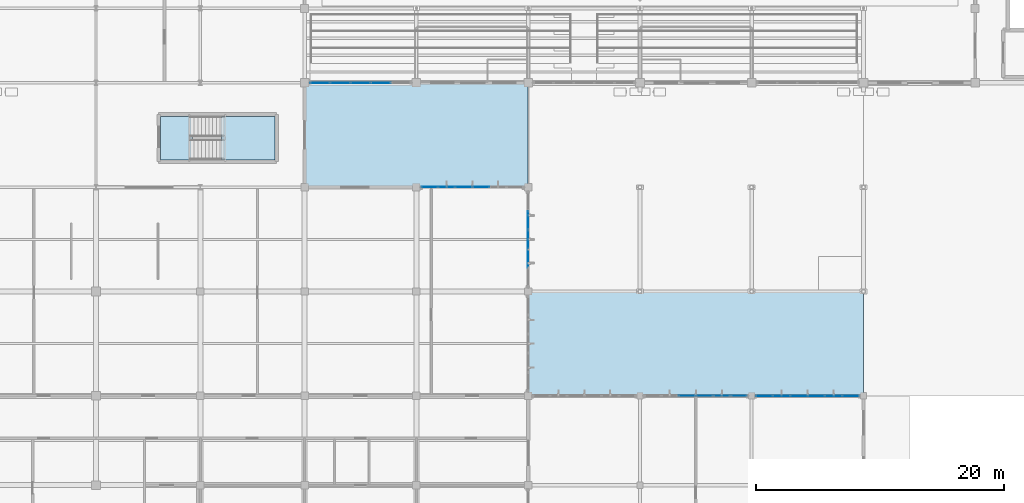
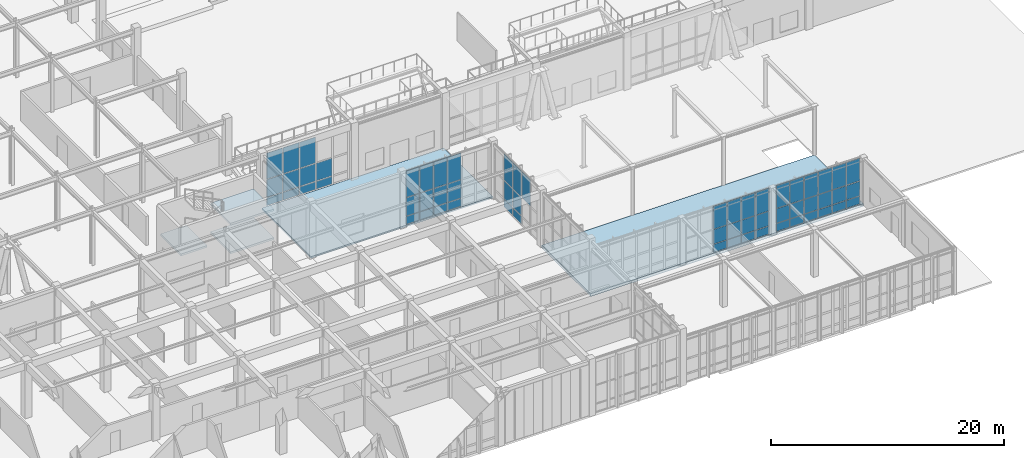
# One storey, part 63 of 110: 60 plates, 5 slabs, 6 elements without a shape of their own.
"""IFC4 building model written with IfcOpenShell, lengths in metres."""

from ifc_helpers import new_model, si_unit, direction, frame, origin, origin_2d, place, context, subcontext, project, spatial, polyline, rectangle, outline, extrude, material, layer, layer_set, type_object, element, aggregate, save


model = new_model("IFC4")

# Units and contexts
model_context = context("Model", 3, precision=1e-05, world=origin(), true_north=direction((0.0, 1.0)))
body_context = subcontext(model_context, "Body", "Model", "MODEL_VIEW")
ifc_project = project(units=[si_unit("LENGTHUNIT", "METRE"), si_unit("AREAUNIT", "SQUARE_METRE"), si_unit("VOLUMEUNIT", "CUBIC_METRE"), si_unit("PLANEANGLEUNIT", "RADIAN"), si_unit("MASSUNIT", "GRAM", prefix="KILO")], contexts=[model_context])

# Site, building, storey
site_placement = place(None, origin())
site = spatial("IfcSite", under=ifc_project, at=site_placement, CompositionType="ELEMENT")
building_placement = place(site_placement, origin())
building = spatial("IfcBuilding", under=site, at=building_placement, Name="Tizgana Railside Sports Hall", CompositionType="ELEMENT")
storey_placement = place(building_placement, origin())
storey = spatial("IfcBuildingStorey", under=building, at=storey_placement, Name="L00", CompositionType="ELEMENT", Elevation=0.0)

# Curtain wall, plates
ifc_material_1 = material(Name="Anodised aluminium and glass", Category="aluminium")
curtain_wall_type_1 = type_object("IfcCurtainWallType", Name="Unitised Curtain Wall Foyer 1300", PredefinedType="NOTDEFINED", material=ifc_material_1)
curtain_wall_1_placement = place(storey_placement, origin())
curtain_wall_1 = element("IfcCurtainWall", 1, at=curtain_wall_1_placement, inside=storey, type_object=curtain_wall_type_1, Name="L00 Curtain Wall CW-0081", PredefinedType="NOTDEFINED")
ifc_material_2 = material(Name="Double low-E laminated glass", Category="glass")
ifc_layer_1 = layer(ifc_material_2, 0.033935546875, Name="Double low-E laminated glass")
ifc_layer_set_1 = layer_set([ifc_layer_1], Name="Double low-E laminated glass")
plate_type_1 = type_object("IfcPlateType", Name="Acoustic Laminated Glazing Panel 34", PredefinedType="CURTAIN_PANEL", material=ifc_layer_set_1)
plate_1_placement = place(storey_placement, frame((89.862060546875, 32.39990234375, 0.10986328125), z_axis=(0.0, 0.0, 1.0), x_axis=(1.0, 0.0, 0.0)))
plate_1 = element("IfcPlate", 2, at=plate_1_placement, type_object=plate_type_1, Name="CW-02 panel 1.1", PredefinedType="CURTAIN_PANEL", context=body_context, shape_type="SweptSolid", body=[
    extrude(rectangle(XDim=1.2841796875, YDim=0.033935546875, at=origin_2d()), origin(), (0.0, 0.0, 1.0), 0.802490234375),
])
plate_2_placement = place(storey_placement, frame((89.862060546875, 32.39990234375, 0.9775390625), z_axis=(0.0, 0.0, 1.0), x_axis=(1.0, 0.0, 0.0)))
plate_2 = element("IfcPlate", 3, at=plate_2_placement, type_object=plate_type_1, Name="CW-02 panel 1.2", PredefinedType="CURTAIN_PANEL", context=body_context, shape_type="SweptSolid", body=[
    extrude(rectangle(XDim=1.2841796875, YDim=0.033935546875, at=origin_2d()), origin(), (0.0, 0.0, 1.0), 1.887451171875),
])
plate_3_placement = place(storey_placement, frame((89.862060546875, 32.39990234375, 2.93017578125), z_axis=(0.0, 0.0, 1.0), x_axis=(1.0, 0.0, 0.0)))
plate_3 = element("IfcPlate", 4, at=plate_3_placement, type_object=plate_type_1, Name="CW-02 panel 1.3", PredefinedType="CURTAIN_PANEL", context=body_context, shape_type="SweptSolid", body=[
    extrude(rectangle(XDim=1.2841796875, YDim=0.033935546875, at=origin_2d()), origin(), (0.0, 0.0, 1.0), 2.7548828125),
])
plate_4_placement = place(storey_placement, frame((91.2275390625, 32.39990234375, 0.10986328125), z_axis=(0.0, 0.0, 1.0), x_axis=(1.0, 0.0, 0.0)))
plate_4 = element("IfcPlate", 5, at=plate_4_placement, type_object=plate_type_1, Name="CW-02 panel 2.1", PredefinedType="CURTAIN_PANEL", context=body_context, shape_type="SweptSolid", body=[
    extrude(rectangle(XDim=1.316650390625, YDim=0.033935546875, at=origin_2d()), origin(), (0.0, 0.0, 1.0), 0.802490234375),
])
plate_5_placement = place(storey_placement, frame((91.2275390625, 32.39990234375, 0.9775390625), z_axis=(0.0, 0.0, 1.0), x_axis=(1.0, 0.0, 0.0)))
plate_5 = element("IfcPlate", 6, at=plate_5_placement, type_object=plate_type_1, Name="CW-02 panel 2.2", PredefinedType="CURTAIN_PANEL", context=body_context, shape_type="SweptSolid", body=[
    extrude(rectangle(XDim=1.316650390625, YDim=0.033935546875, at=origin_2d()), origin(), (0.0, 0.0, 1.0), 1.887451171875),
])
plate_6_placement = place(storey_placement, frame((91.2275390625, 32.39990234375, 2.93017578125), z_axis=(0.0, 0.0, 1.0), x_axis=(1.0, 0.0, 0.0)))
plate_6 = element("IfcPlate", 7, at=plate_6_placement, type_object=plate_type_1, Name="CW-02 panel 2.3", PredefinedType="CURTAIN_PANEL", context=body_context, shape_type="SweptSolid", body=[
    extrude(rectangle(XDim=1.316650390625, YDim=0.033935546875, at=origin_2d()), origin(), (0.0, 0.0, 1.0), 2.7548828125),
])
plate_7_placement = place(storey_placement, frame((92.609130859375, 32.39990234375, 0.10986328125), z_axis=(0.0, 0.0, 1.0), x_axis=(1.0, 0.0, 0.0)))
plate_7 = element("IfcPlate", 8, at=plate_7_placement, type_object=plate_type_1, Name="CW-02 panel 3.1", PredefinedType="CURTAIN_PANEL", context=body_context, shape_type="SweptSolid", body=[
    extrude(rectangle(XDim=1.316650390625, YDim=0.033935546875, at=origin_2d()), origin(), (0.0, 0.0, 1.0), 0.802490234375),
])
plate_8_placement = place(storey_placement, frame((92.609130859375, 32.39990234375, 0.9775390625), z_axis=(0.0, 0.0, 1.0), x_axis=(1.0, 0.0, 0.0)))
plate_8 = element("IfcPlate", 9, at=plate_8_placement, type_object=plate_type_1, Name="CW-02 panel 3.2", PredefinedType="CURTAIN_PANEL", context=body_context, shape_type="SweptSolid", body=[
    extrude(rectangle(XDim=1.316650390625, YDim=0.033935546875, at=origin_2d()), origin(), (0.0, 0.0, 1.0), 1.887451171875),
])
plate_9_placement = place(storey_placement, frame((92.609130859375, 32.39990234375, 2.93017578125), z_axis=(0.0, 0.0, 1.0), x_axis=(1.0, 0.0, 0.0)))
plate_9 = element("IfcPlate", 10, at=plate_9_placement, type_object=plate_type_1, Name="CW-02 panel 3.3", PredefinedType="CURTAIN_PANEL", context=body_context, shape_type="SweptSolid", body=[
    extrude(rectangle(XDim=1.316650390625, YDim=0.033935546875, at=origin_2d()), origin(), (0.0, 0.0, 1.0), 2.7548828125),
])
plate_10_placement = place(storey_placement, frame((93.99072265625, 32.39990234375, 0.10986328125), z_axis=(0.0, 0.0, 1.0), x_axis=(1.0, 0.0, 0.0)))
plate_10 = element("IfcPlate", 11, at=plate_10_placement, type_object=plate_type_1, Name="CW-02 panel 4.1", PredefinedType="CURTAIN_PANEL", context=body_context, shape_type="SweptSolid", body=[
    extrude(rectangle(XDim=1.316650390625, YDim=0.033935546875, at=origin_2d()), origin(), (0.0, 0.0, 1.0), 0.802490234375),
])
plate_11_placement = place(storey_placement, frame((93.99072265625, 32.39990234375, 0.9775390625), z_axis=(0.0, 0.0, 1.0), x_axis=(1.0, 0.0, 0.0)))
plate_11 = element("IfcPlate", 12, at=plate_11_placement, type_object=plate_type_1, Name="CW-02 panel 4.2", PredefinedType="CURTAIN_PANEL", context=body_context, shape_type="SweptSolid", body=[
    extrude(rectangle(XDim=1.316650390625, YDim=0.033935546875, at=origin_2d()), origin(), (0.0, 0.0, 1.0), 1.887451171875),
])
plate_12_placement = place(storey_placement, frame((93.99072265625, 32.39990234375, 2.93017578125), z_axis=(0.0, 0.0, 1.0), x_axis=(1.0, 0.0, 0.0)))
plate_12 = element("IfcPlate", 13, at=plate_12_placement, type_object=plate_type_1, Name="CW-02 panel 4.3", PredefinedType="CURTAIN_PANEL", context=body_context, shape_type="SweptSolid", body=[
    extrude(rectangle(XDim=1.316650390625, YDim=0.033935546875, at=origin_2d()), origin(), (0.0, 0.0, 1.0), 2.7548828125),
])
aggregate(curtain_wall_1, [plate_1, plate_2, plate_3, plate_4, plate_5, plate_6, plate_7, plate_8, plate_9, plate_10, plate_11, plate_12])

curtain_wall_type_2 = type_object("IfcCurtainWallType", Name="Unitised Curtain Wall Passage 1800", PredefinedType="NOTDEFINED", material=ifc_material_1)
curtain_wall_2_placement = place(storey_placement, origin())
curtain_wall_2 = element("IfcCurtainWall", 14, at=curtain_wall_2_placement, inside=storey, type_object=curtain_wall_type_2, Name="L00 Curtain Wall CW-0157", PredefinedType="NOTDEFINED")
plate_13_placement = place(storey_placement, frame((116.819091796875, 15.60009765625, 0.10498046875), z_axis=(0.0, 0.0, 1.0), x_axis=(1.0, 0.0, 0.0)))
plate_13 = element("IfcPlate", 15, at=plate_13_placement, type_object=plate_type_1, Name="CW-06 panel 1.1", PredefinedType="CURTAIN_PANEL", context=body_context, shape_type="SweptSolid", body=[
    extrude(rectangle(XDim=1.308349609375, YDim=0.033935546875, at=origin_2d()), origin(), (0.0, 0.0, 1.0), 0.81005859375),
])
plate_14_placement = place(storey_placement, frame((116.819091796875, 15.60009765625, 0.974853515625), z_axis=(0.0, 0.0, 1.0), x_axis=(1.0, 0.0, 0.0)))
plate_14 = element("IfcPlate", 16, at=plate_14_placement, type_object=plate_type_1, Name="CW-06 panel 1.2", PredefinedType="CURTAIN_PANEL", context=body_context, shape_type="SweptSolid", body=[
    extrude(rectangle(XDim=1.308349609375, YDim=0.033935546875, at=origin_2d()), origin(), (0.0, 0.0, 1.0), 1.49755859375),
])
plate_15_placement = place(storey_placement, frame((116.819091796875, 15.60009765625, 2.53271484375), z_axis=(0.0, 0.0, 1.0), x_axis=(1.0, 0.0, 0.0)))
plate_15 = element("IfcPlate", 17, at=plate_15_placement, type_object=plate_type_1, Name="CW-06 panel 1.3", PredefinedType="CURTAIN_PANEL", context=body_context, shape_type="SweptSolid", body=[
    extrude(rectangle(XDim=1.308349609375, YDim=0.033935546875, at=origin_2d()), origin(), (0.0, 0.0, 1.0), 2.367431640625),
])
plate_16_placement = place(storey_placement, frame((118.202392578125, 15.60009765625, 0.10498046875), z_axis=(0.0, 0.0, 1.0), x_axis=(1.0, 0.0, 0.0)))
plate_16 = element("IfcPlate", 18, at=plate_16_placement, type_object=plate_type_1, Name="CW-06 panel 2.1", PredefinedType="CURTAIN_PANEL", context=body_context, shape_type="SweptSolid", body=[
    extrude(rectangle(XDim=1.33837890625, YDim=0.033935546875, at=origin_2d()), origin(), (0.0, 0.0, 1.0), 0.81005859375),
])
plate_17_placement = place(storey_placement, frame((118.202392578125, 15.60009765625, 0.974853515625), z_axis=(0.0, 0.0, 1.0), x_axis=(1.0, 0.0, 0.0)))
plate_17 = element("IfcPlate", 19, at=plate_17_placement, type_object=plate_type_1, Name="CW-06 panel 2.2", PredefinedType="CURTAIN_PANEL", context=body_context, shape_type="SweptSolid", body=[
    extrude(rectangle(XDim=1.33837890625, YDim=0.033935546875, at=origin_2d()), origin(), (0.0, 0.0, 1.0), 1.49755859375),
])
plate_18_placement = place(storey_placement, frame((118.202392578125, 15.60009765625, 2.53271484375), z_axis=(0.0, 0.0, 1.0), x_axis=(1.0, 0.0, 0.0)))
plate_18 = element("IfcPlate", 20, at=plate_18_placement, type_object=plate_type_1, Name="CW-06 panel 2.3", PredefinedType="CURTAIN_PANEL", context=body_context, shape_type="SweptSolid", body=[
    extrude(rectangle(XDim=1.33837890625, YDim=0.033935546875, at=origin_2d()), origin(), (0.0, 0.0, 1.0), 2.367431640625),
])
plate_19_placement = place(storey_placement, frame((119.600830078125, 15.60009765625, 0.10498046875), z_axis=(0.0, 0.0, 1.0), x_axis=(1.0, 0.0, 0.0)))
plate_19 = element("IfcPlate", 21, at=plate_19_placement, type_object=plate_type_1, Name="CW-06 panel 3.1", PredefinedType="CURTAIN_PANEL", context=body_context, shape_type="SweptSolid", body=[
    extrude(rectangle(XDim=1.33837890625, YDim=0.033935546875, at=origin_2d()), origin(), (0.0, 0.0, 1.0), 0.81005859375),
])
plate_20_placement = place(storey_placement, frame((119.600830078125, 15.60009765625, 0.974853515625), z_axis=(0.0, 0.0, 1.0), x_axis=(1.0, 0.0, 0.0)))
plate_20 = element("IfcPlate", 22, at=plate_20_placement, type_object=plate_type_1, Name="CW-06 panel 3.2", PredefinedType="CURTAIN_PANEL", context=body_context, shape_type="SweptSolid", body=[
    extrude(rectangle(XDim=1.33837890625, YDim=0.033935546875, at=origin_2d()), origin(), (0.0, 0.0, 1.0), 1.49755859375),
])
plate_21_placement = place(storey_placement, frame((119.600830078125, 15.60009765625, 2.53271484375), z_axis=(0.0, 0.0, 1.0), x_axis=(1.0, 0.0, 0.0)))
plate_21 = element("IfcPlate", 23, at=plate_21_placement, type_object=plate_type_1, Name="CW-06 panel 3.3", PredefinedType="CURTAIN_PANEL", context=body_context, shape_type="SweptSolid", body=[
    extrude(rectangle(XDim=1.33837890625, YDim=0.033935546875, at=origin_2d()), origin(), (0.0, 0.0, 1.0), 2.367431640625),
])
plate_22_placement = place(storey_placement, frame((120.999267578125, 15.60009765625, 0.10498046875), z_axis=(0.0, 0.0, 1.0), x_axis=(1.0, 0.0, 0.0)))
plate_22 = element("IfcPlate", 24, at=plate_22_placement, type_object=plate_type_1, Name="CW-06 panel 4.1", PredefinedType="CURTAIN_PANEL", context=body_context, shape_type="SweptSolid", body=[
    extrude(rectangle(XDim=1.33837890625, YDim=0.033935546875, at=origin_2d()), origin(), (0.0, 0.0, 1.0), 0.81005859375),
])
plate_23_placement = place(storey_placement, frame((120.999267578125, 15.60009765625, 0.974853515625), z_axis=(0.0, 0.0, 1.0), x_axis=(1.0, 0.0, 0.0)))
plate_23 = element("IfcPlate", 25, at=plate_23_placement, type_object=plate_type_1, Name="CW-06 panel 4.2", PredefinedType="CURTAIN_PANEL", context=body_context, shape_type="SweptSolid", body=[
    extrude(rectangle(XDim=1.33837890625, YDim=0.033935546875, at=origin_2d()), origin(), (0.0, 0.0, 1.0), 1.49755859375),
])
plate_24_placement = place(storey_placement, frame((120.999267578125, 15.60009765625, 2.53271484375), z_axis=(0.0, 0.0, 1.0), x_axis=(1.0, 0.0, 0.0)))
plate_24 = element("IfcPlate", 26, at=plate_24_placement, type_object=plate_type_1, Name="CW-06 panel 4.3", PredefinedType="CURTAIN_PANEL", context=body_context, shape_type="SweptSolid", body=[
    extrude(rectangle(XDim=1.33837890625, YDim=0.033935546875, at=origin_2d()), origin(), (0.0, 0.0, 1.0), 2.367431640625),
])
plate_25_placement = place(storey_placement, frame((122.3974609375, 15.60009765625, 0.10498046875), z_axis=(0.0, 0.0, 1.0), x_axis=(1.0, 0.0, 0.0)))
plate_25 = element("IfcPlate", 27, at=plate_25_placement, type_object=plate_type_1, Name="CW-06 panel 5.1", PredefinedType="CURTAIN_PANEL", context=body_context, shape_type="SweptSolid", body=[
    extrude(rectangle(XDim=1.33837890625, YDim=0.033935546875, at=origin_2d()), origin(), (0.0, 0.0, 1.0), 0.81005859375),
])
plate_26_placement = place(storey_placement, frame((122.3974609375, 15.60009765625, 0.974853515625), z_axis=(0.0, 0.0, 1.0), x_axis=(1.0, 0.0, 0.0)))
plate_26 = element("IfcPlate", 28, at=plate_26_placement, type_object=plate_type_1, Name="CW-06 panel 5.2", PredefinedType="CURTAIN_PANEL", context=body_context, shape_type="SweptSolid", body=[
    extrude(rectangle(XDim=1.33837890625, YDim=0.033935546875, at=origin_2d()), origin(), (0.0, 0.0, 1.0), 1.49755859375),
])
plate_27_placement = place(storey_placement, frame((122.3974609375, 15.60009765625, 2.53271484375), z_axis=(0.0, 0.0, 1.0), x_axis=(1.0, 0.0, 0.0)))
plate_27 = element("IfcPlate", 29, at=plate_27_placement, type_object=plate_type_1, Name="CW-06 panel 5.3", PredefinedType="CURTAIN_PANEL", context=body_context, shape_type="SweptSolid", body=[
    extrude(rectangle(XDim=1.33837890625, YDim=0.033935546875, at=origin_2d()), origin(), (0.0, 0.0, 1.0), 2.367431640625),
])
plate_28_placement = place(storey_placement, frame((123.78076171875, 15.60009765625, 0.10498046875), z_axis=(0.0, 0.0, 1.0), x_axis=(1.0, 0.0, 0.0)))
plate_28 = element("IfcPlate", 30, at=plate_28_placement, type_object=plate_type_1, Name="CW-06 panel 6.1", PredefinedType="CURTAIN_PANEL", context=body_context, shape_type="SweptSolid", body=[
    extrude(rectangle(XDim=1.308349609375, YDim=0.033935546875, at=origin_2d()), origin(), (0.0, 0.0, 1.0), 0.81005859375),
])
plate_29_placement = place(storey_placement, frame((123.78076171875, 15.60009765625, 0.974853515625), z_axis=(0.0, 0.0, 1.0), x_axis=(1.0, 0.0, 0.0)))
plate_29 = element("IfcPlate", 31, at=plate_29_placement, type_object=plate_type_1, Name="CW-06 panel 6.2", PredefinedType="CURTAIN_PANEL", context=body_context, shape_type="SweptSolid", body=[
    extrude(rectangle(XDim=1.308349609375, YDim=0.033935546875, at=origin_2d()), origin(), (0.0, 0.0, 1.0), 1.49755859375),
])
plate_30_placement = place(storey_placement, frame((123.78076171875, 15.60009765625, 2.53271484375), z_axis=(0.0, 0.0, 1.0), x_axis=(1.0, 0.0, 0.0)))
plate_30 = element("IfcPlate", 32, at=plate_30_placement, type_object=plate_type_1, Name="CW-06 panel 6.3", PredefinedType="CURTAIN_PANEL", context=body_context, shape_type="SweptSolid", body=[
    extrude(rectangle(XDim=1.308349609375, YDim=0.033935546875, at=origin_2d()), origin(), (0.0, 0.0, 1.0), 2.367431640625),
])
aggregate(curtain_wall_2, [plate_13, plate_14, plate_15, plate_16, plate_17, plate_18, plate_19, plate_20, plate_21, plate_22, plate_23, plate_24, plate_25, plate_26, plate_27, plate_28, plate_29, plate_30])

# Stair, slabs
ifc_material_3 = material(Name="Concrete C35/45", Category="concrete")
stair_type = type_object("IfcStairType", Name="Tournament Court Stair 1600", PredefinedType="HALF_TURN_STAIR", material=ifc_material_3)
stair_placement = place(storey_placement, origin())
stair = element("IfcStair", 33, at=stair_placement, inside=storey, type_object=stair_type, Name="L00 Core Stair ST-10", PredefinedType="HALF_TURN_STAIR")
ifc_layer_2 = layer(ifc_material_3, 0.199951171875, Name="Concrete C35/45")
ifc_layer_set_2 = layer_set([ifc_layer_2], Name="Concrete C35/45")
slab_type_1 = type_object("IfcSlabType", Name="Core Stair Landing Slab 200", PredefinedType="LANDING", material=ifc_layer_set_2)
slab_1_placement = place(storey_placement, frame((0.0, 0.0, 1.300048828125)))
slab_1 = element("IfcSlab", 34, at=slab_1_placement, type_object=slab_type_1, Name="ST-10 landing 1", PredefinedType="LANDING", context=body_context, shape_type="SweptSolid", body=[
    extrude(outline(polyline([(73.1201171875, 34.60009765625), (77.39990234375, 34.60009765625), (77.39990234375, 38.10009765625), (73.1201171875, 38.10009765625), (73.1201171875, 34.60009765625)])), origin(), (0.0, 0.0, 1.0), 0.199951171875),
])
slab_2_placement = place(storey_placement, frame((0.0, 0.0, 2.800048828125)))
slab_2 = element("IfcSlab", 35, at=slab_2_placement, type_object=slab_type_1, Name="ST-10 landing 2", PredefinedType="LANDING", context=body_context, shape_type="SweptSolid", body=[
    extrude(outline(polyline([(68.199951171875, 34.60009765625), (70.780029296875, 34.60009765625), (70.780029296875, 38.10009765625), (68.199951171875, 38.10009765625), (68.199951171875, 34.60009765625)])), origin(), (0.0, 0.0, 1.0), 0.199951171875),
])
slab_3_placement = place(storey_placement, frame((0.0, 0.0, 4.300048828125)))
slab_3 = element("IfcSlab", 36, at=slab_3_placement, type_object=slab_type_1, Name="ST-10 landing 3", PredefinedType="LANDING", context=body_context, shape_type="SweptSolid", body=[
    extrude(outline(polyline([(73.1201171875, 34.60009765625), (77.39990234375, 34.60009765625), (77.39990234375, 38.10009765625), (73.1201171875, 38.10009765625), (73.1201171875, 34.60009765625)])), origin(), (0.0, 0.0, 1.0), 0.199951171875),
])
aggregate(stair, [slab_1, slab_2, slab_3])

# Slabs
ifc_layer_3 = layer(ifc_material_3, 0.169921875, Name="Concrete C35/45")
ifc_layer_set_3 = layer_set([ifc_layer_3], Name="Concrete C35/45")
slab_type_2 = type_object("IfcSlabType", Name="Entrance Canopy & Apron Deck 170", PredefinedType="FLOOR", material=ifc_layer_set_3)
slab_4_placement = place(storey_placement, frame((0.0, 0.0, -0.169921875)))
element("IfcSlab", 37, at=slab_4_placement, inside=storey, type_object=slab_type_2, Name="L00 V2 South-West Plaza APR-0002", PredefinedType="FLOOR", context=body_context, shape_type="SweptSolid", body=[
    extrude(outline(polyline([(79.800048828125, 32.39990234375), (97.800048828125, 32.39990234375), (97.800048828125, 40.800048828125), (79.800048828125, 40.800048828125), (79.800048828125, 32.39990234375)])), origin(), (0.0, 0.0, 1.0), 0.169921875),
])
ifc_layer_4 = layer(ifc_material_3, 0.2900390625, Name="Concrete C35/45")
ifc_layer_set_4 = layer_set([ifc_layer_4], Name="Concrete C35/45")
slab_type_3 = type_object("IfcSlabType", Name="Ground Bearing Wing Slab 290", PredefinedType="BASESLAB", material=ifc_layer_set_4)
slab_5_placement = place(storey_placement, frame((0.0, 0.0, -0.2900390625)))
element("IfcSlab", 38, at=slab_5_placement, inside=storey, type_object=slab_type_3, Name="L00 South Forecourt Plaza SLB-0022", PredefinedType="BASESLAB", context=body_context, shape_type="SweptSolid", body=[
    extrude(outline(polyline([(97.800048828125, 15.60009765625), (124.800048828125, 15.60009765625), (124.800048828125, 24.0), (97.800048828125, 24.0), (97.800048828125, 15.60009765625)])), origin(), (0.0, 0.0, 1.0), 0.2900390625),
])

# Curtain wall, plates
curtain_wall_type_3 = type_object("IfcCurtainWallType", Name="Unitised Curtain Wall EastHall 1500", PredefinedType="NOTDEFINED", material=ifc_material_1)
curtain_wall_3_placement = place(storey_placement, origin())
curtain_wall_3 = element("IfcCurtainWall", 39, at=curtain_wall_3_placement, inside=storey, type_object=curtain_wall_type_3, Name="L00 Curtain Wall CW-0015", PredefinedType="NOTDEFINED")
ifc_layer_5 = layer(ifc_material_2, 0.031982421875, Name="Double low-E laminated glass")
ifc_layer_set_5 = layer_set([ifc_layer_5], Name="Double low-E laminated glass")
plate_type_2 = type_object("IfcPlateType", Name="North-Light Clerestory Glazing Panel 32", PredefinedType="CURTAIN_PANEL", material=ifc_layer_set_5)
plate_31_placement = place(storey_placement, frame((85.93798828125, 40.800048828125, 0.10986328125), z_axis=(0.0, 0.0, 1.0), x_axis=(-1.0, 0.0, 0.0)))
plate_31 = element("IfcPlate", 40, at=plate_31_placement, type_object=plate_type_2, Name="CW-08 panel 2.1", PredefinedType="CURTAIN_PANEL", context=body_context, shape_type="SweptSolid", body=[
    extrude(rectangle(XDim=1.572998046875, YDim=0.031982421875, at=origin_2d()), origin(), (0.0, 0.0, 1.0), 0.802490234375),
])
plate_32_placement = place(storey_placement, frame((85.93798828125, 40.800048828125, 0.9775390625), z_axis=(0.0, 0.0, 1.0), x_axis=(-1.0, 0.0, 0.0)))
plate_32 = element("IfcPlate", 41, at=plate_32_placement, type_object=plate_type_2, Name="CW-08 panel 2.2", PredefinedType="CURTAIN_PANEL", context=body_context, shape_type="SweptSolid", body=[
    extrude(rectangle(XDim=1.572998046875, YDim=0.031982421875, at=origin_2d()), origin(), (0.0, 0.0, 1.0), 1.83740234375),
])
plate_33_placement = place(storey_placement, frame((84.300048828125, 40.800048828125, 0.10986328125), z_axis=(0.0, 0.0, 1.0), x_axis=(-1.0, 0.0, 0.0)))
plate_33 = element("IfcPlate", 42, at=plate_33_placement, type_object=plate_type_2, Name="CW-08 panel 3.1", PredefinedType="CURTAIN_PANEL", context=body_context, shape_type="SweptSolid", body=[
    extrude(rectangle(XDim=1.572998046875, YDim=0.031982421875, at=origin_2d()), origin(), (0.0, 0.0, 1.0), 0.802490234375),
])
plate_34_placement = place(storey_placement, frame((84.300048828125, 40.800048828125, 0.9775390625), z_axis=(0.0, 0.0, 1.0), x_axis=(-1.0, 0.0, 0.0)))
plate_34 = element("IfcPlate", 43, at=plate_34_placement, type_object=plate_type_2, Name="CW-08 panel 3.2", PredefinedType="CURTAIN_PANEL", context=body_context, shape_type="SweptSolid", body=[
    extrude(rectangle(XDim=1.572998046875, YDim=0.031982421875, at=origin_2d()), origin(), (0.0, 0.0, 1.0), 1.83740234375),
])
plate_35_placement = place(storey_placement, frame((84.300048828125, 40.800048828125, 2.8798828125), z_axis=(0.0, 0.0, 1.0), x_axis=(-1.0, 0.0, 0.0)))
plate_35 = element("IfcPlate", 44, at=plate_35_placement, type_object=plate_type_2, Name="CW-08 panel 3.3", PredefinedType="CURTAIN_PANEL", context=body_context, shape_type="SweptSolid", body=[
    extrude(rectangle(XDim=1.572998046875, YDim=0.031982421875, at=origin_2d()), origin(), (0.0, 0.0, 1.0), 2.705078125),
])
plate_36_placement = place(storey_placement, frame((82.662109375, 40.800048828125, 0.10986328125), z_axis=(0.0, 0.0, 1.0), x_axis=(-1.0, 0.0, 0.0)))
plate_36 = element("IfcPlate", 45, at=plate_36_placement, type_object=plate_type_2, Name="CW-08 panel 4.1", PredefinedType="CURTAIN_PANEL", context=body_context, shape_type="SweptSolid", body=[
    extrude(rectangle(XDim=1.572998046875, YDim=0.031982421875, at=origin_2d()), origin(), (0.0, 0.0, 1.0), 0.802490234375),
])
plate_37_placement = place(storey_placement, frame((82.662109375, 40.800048828125, 0.9775390625), z_axis=(0.0, 0.0, 1.0), x_axis=(-1.0, 0.0, 0.0)))
plate_37 = element("IfcPlate", 46, at=plate_37_placement, type_object=plate_type_2, Name="CW-08 panel 4.2", PredefinedType="CURTAIN_PANEL", context=body_context, shape_type="SweptSolid", body=[
    extrude(rectangle(XDim=1.572998046875, YDim=0.031982421875, at=origin_2d()), origin(), (0.0, 0.0, 1.0), 1.83740234375),
])
plate_38_placement = place(storey_placement, frame((82.662109375, 40.800048828125, 2.8798828125), z_axis=(0.0, 0.0, 1.0), x_axis=(-1.0, 0.0, 0.0)))
plate_38 = element("IfcPlate", 47, at=plate_38_placement, type_object=plate_type_2, Name="CW-08 panel 4.3", PredefinedType="CURTAIN_PANEL", context=body_context, shape_type="SweptSolid", body=[
    extrude(rectangle(XDim=1.572998046875, YDim=0.031982421875, at=origin_2d()), origin(), (0.0, 0.0, 1.0), 2.705078125),
])
plate_39_placement = place(storey_placement, frame((81.040283203125, 40.800048828125, 0.10986328125), z_axis=(0.0, 0.0, 1.0), x_axis=(-1.0, 0.0, 0.0)))
plate_39 = element("IfcPlate", 48, at=plate_39_placement, type_object=plate_type_2, Name="CW-08 panel 5.1", PredefinedType="CURTAIN_PANEL", context=body_context, shape_type="SweptSolid", body=[
    extrude(rectangle(XDim=1.54052734375, YDim=0.031982421875, at=origin_2d()), origin(), (0.0, 0.0, 1.0), 0.802490234375),
])
plate_40_placement = place(storey_placement, frame((81.040283203125, 40.800048828125, 0.9775390625), z_axis=(0.0, 0.0, 1.0), x_axis=(-1.0, 0.0, 0.0)))
plate_40 = element("IfcPlate", 49, at=plate_40_placement, type_object=plate_type_2, Name="CW-08 panel 5.2", PredefinedType="CURTAIN_PANEL", context=body_context, shape_type="SweptSolid", body=[
    extrude(rectangle(XDim=1.54052734375, YDim=0.031982421875, at=origin_2d()), origin(), (0.0, 0.0, 1.0), 1.83740234375),
])
plate_41_placement = place(storey_placement, frame((81.040283203125, 40.800048828125, 2.8798828125), z_axis=(0.0, 0.0, 1.0), x_axis=(-1.0, 0.0, 0.0)))
plate_41 = element("IfcPlate", 50, at=plate_41_placement, type_object=plate_type_2, Name="CW-08 panel 5.3", PredefinedType="CURTAIN_PANEL", context=body_context, shape_type="SweptSolid", body=[
    extrude(rectangle(XDim=1.54052734375, YDim=0.031982421875, at=origin_2d()), origin(), (0.0, 0.0, 1.0), 2.705078125),
])
aggregate(curtain_wall_3, [plate_31, plate_32, plate_33, plate_34, plate_35, plate_36, plate_37, plate_38, plate_39, plate_40, plate_41])

curtain_wall_type_4 = type_object("IfcCurtainWallType", Name="Unitised Curtain Wall Climbing 1600", PredefinedType="NOTDEFINED", material=ifc_material_1)
curtain_wall_4_placement = place(storey_placement, origin())
curtain_wall_4 = element("IfcCurtainWall", 51, at=curtain_wall_4_placement, inside=storey, type_object=curtain_wall_type_4, Name="L00 Curtain Wall CW-0155", PredefinedType="NOTDEFINED")
plate_42_placement = place(storey_placement, frame((110.600830078125, 15.60009765625, 0.10009765625), z_axis=(0.0, 0.0, 1.0), x_axis=(1.0, 0.0, 0.0)))
plate_42 = element("IfcPlate", 52, at=plate_42_placement, type_object=plate_type_2, Name="CW-04 panel 3.1", PredefinedType="CURTAIN_PANEL", context=body_context, shape_type="SweptSolid", body=[
    extrude(rectangle(XDim=1.3232421875, YDim=0.031982421875, at=origin_2d()), origin(), (0.0, 0.0, 1.0), 0.8173828125),
])
plate_43_placement = place(storey_placement, frame((110.600830078125, 15.60009765625, 0.972412109375), z_axis=(0.0, 0.0, 1.0), x_axis=(1.0, 0.0, 0.0)))
plate_43 = element("IfcPlate", 53, at=plate_43_placement, type_object=plate_type_2, Name="CW-04 panel 3.2", PredefinedType="CURTAIN_PANEL", context=body_context, shape_type="SweptSolid", body=[
    extrude(rectangle(XDim=1.3232421875, YDim=0.031982421875, at=origin_2d()), origin(), (0.0, 0.0, 1.0), 1.50244140625),
])
plate_44_placement = place(storey_placement, frame((110.600830078125, 15.60009765625, 2.530029296875), z_axis=(0.0, 0.0, 1.0), x_axis=(1.0, 0.0, 0.0)))
plate_44 = element("IfcPlate", 54, at=plate_44_placement, type_object=plate_type_2, Name="CW-04 panel 3.3", PredefinedType="CURTAIN_PANEL", context=body_context, shape_type="SweptSolid", body=[
    extrude(rectangle(XDim=1.3232421875, YDim=0.031982421875, at=origin_2d()), origin(), (0.0, 0.0, 1.0), 2.375),
])
plate_45_placement = place(storey_placement, frame((111.999267578125, 15.60009765625, 0.10009765625), z_axis=(0.0, 0.0, 1.0), x_axis=(1.0, 0.0, 0.0)))
plate_45 = element("IfcPlate", 55, at=plate_45_placement, type_object=plate_type_2, Name="CW-04 panel 4.1", PredefinedType="CURTAIN_PANEL", context=body_context, shape_type="SweptSolid", body=[
    extrude(rectangle(XDim=1.3232421875, YDim=0.031982421875, at=origin_2d()), origin(), (0.0, 0.0, 1.0), 0.8173828125),
])
plate_46_placement = place(storey_placement, frame((111.999267578125, 15.60009765625, 0.972412109375), z_axis=(0.0, 0.0, 1.0), x_axis=(1.0, 0.0, 0.0)))
plate_46 = element("IfcPlate", 56, at=plate_46_placement, type_object=plate_type_2, Name="CW-04 panel 4.2", PredefinedType="CURTAIN_PANEL", context=body_context, shape_type="SweptSolid", body=[
    extrude(rectangle(XDim=1.3232421875, YDim=0.031982421875, at=origin_2d()), origin(), (0.0, 0.0, 1.0), 1.50244140625),
])
plate_47_placement = place(storey_placement, frame((111.999267578125, 15.60009765625, 2.530029296875), z_axis=(0.0, 0.0, 1.0), x_axis=(1.0, 0.0, 0.0)))
plate_47 = element("IfcPlate", 57, at=plate_47_placement, type_object=plate_type_2, Name="CW-04 panel 4.3", PredefinedType="CURTAIN_PANEL", context=body_context, shape_type="SweptSolid", body=[
    extrude(rectangle(XDim=1.3232421875, YDim=0.031982421875, at=origin_2d()), origin(), (0.0, 0.0, 1.0), 2.375),
])
plate_48_placement = place(storey_placement, frame((113.3974609375, 15.60009765625, 0.10009765625), z_axis=(0.0, 0.0, 1.0), x_axis=(1.0, 0.0, 0.0)))
plate_48 = element("IfcPlate", 58, at=plate_48_placement, type_object=plate_type_2, Name="CW-04 panel 5.1", PredefinedType="CURTAIN_PANEL", context=body_context, shape_type="SweptSolid", body=[
    extrude(rectangle(XDim=1.3232421875, YDim=0.031982421875, at=origin_2d()), origin(), (0.0, 0.0, 1.0), 0.8173828125),
])
plate_49_placement = place(storey_placement, frame((113.3974609375, 15.60009765625, 0.972412109375), z_axis=(0.0, 0.0, 1.0), x_axis=(1.0, 0.0, 0.0)))
plate_49 = element("IfcPlate", 59, at=plate_49_placement, type_object=plate_type_2, Name="CW-04 panel 5.2", PredefinedType="CURTAIN_PANEL", context=body_context, shape_type="SweptSolid", body=[
    extrude(rectangle(XDim=1.3232421875, YDim=0.031982421875, at=origin_2d()), origin(), (0.0, 0.0, 1.0), 1.50244140625),
])
plate_50_placement = place(storey_placement, frame((113.3974609375, 15.60009765625, 2.530029296875), z_axis=(0.0, 0.0, 1.0), x_axis=(1.0, 0.0, 0.0)))
plate_50 = element("IfcPlate", 60, at=plate_50_placement, type_object=plate_type_2, Name="CW-04 panel 5.3", PredefinedType="CURTAIN_PANEL", context=body_context, shape_type="SweptSolid", body=[
    extrude(rectangle(XDim=1.3232421875, YDim=0.031982421875, at=origin_2d()), origin(), (0.0, 0.0, 1.0), 2.375),
])
plate_51_placement = place(storey_placement, frame((114.777099609375, 15.60009765625, 0.10009765625), z_axis=(0.0, 0.0, 1.0), x_axis=(1.0, 0.0, 0.0)))
plate_51 = element("IfcPlate", 61, at=plate_51_placement, type_object=plate_type_2, Name="CW-04 panel 6.1", PredefinedType="CURTAIN_PANEL", context=body_context, shape_type="SweptSolid", body=[
    extrude(rectangle(XDim=1.285888671875, YDim=0.031982421875, at=origin_2d()), origin(), (0.0, 0.0, 1.0), 0.8173828125),
])
plate_52_placement = place(storey_placement, frame((114.777099609375, 15.60009765625, 0.972412109375), z_axis=(0.0, 0.0, 1.0), x_axis=(1.0, 0.0, 0.0)))
plate_52 = element("IfcPlate", 62, at=plate_52_placement, type_object=plate_type_2, Name="CW-04 panel 6.2", PredefinedType="CURTAIN_PANEL", context=body_context, shape_type="SweptSolid", body=[
    extrude(rectangle(XDim=1.285888671875, YDim=0.031982421875, at=origin_2d()), origin(), (0.0, 0.0, 1.0), 1.50244140625),
])
plate_53_placement = place(storey_placement, frame((114.777099609375, 15.60009765625, 2.530029296875), z_axis=(0.0, 0.0, 1.0), x_axis=(1.0, 0.0, 0.0)))
plate_53 = element("IfcPlate", 63, at=plate_53_placement, type_object=plate_type_2, Name="CW-04 panel 6.3", PredefinedType="CURTAIN_PANEL", context=body_context, shape_type="SweptSolid", body=[
    extrude(rectangle(XDim=1.285888671875, YDim=0.031982421875, at=origin_2d()), origin(), (0.0, 0.0, 1.0), 2.375),
])
aggregate(curtain_wall_4, [plate_42, plate_43, plate_44, plate_45, plate_46, plate_47, plate_48, plate_49, plate_50, plate_51, plate_52, plate_53])

curtain_wall_type_5 = type_object("IfcCurtainWallType", Name="Unitised Curtain Wall Concourse 1500", PredefinedType="NOTDEFINED", material=ifc_material_1)
curtain_wall_5_placement = place(storey_placement, origin())
curtain_wall_5 = element("IfcCurtainWall", 64, at=curtain_wall_5_placement, inside=storey, type_object=curtain_wall_type_5, Name="L00 Curtain Wall CW-0088", PredefinedType="NOTDEFINED")
ifc_layer_6 = layer(ifc_material_2, 0.028076171875, Name="Double low-E laminated glass")
ifc_layer_set_6 = layer_set([ifc_layer_6], Name="Double low-E laminated glass")
plate_type_3 = type_object("IfcPlateType", Name="Solar Low-E Glazing Panel 28", PredefinedType="CURTAIN_PANEL", material=ifc_layer_set_6)
plate_54_placement = place(storey_placement, frame((97.800048828125, 29.738037109375, 0.114990234375), z_axis=(0.0, 0.0, 1.0), x_axis=(0.0, -1.0, 0.0)))
plate_54 = element("IfcPlate", 65, at=plate_54_placement, type_object=plate_type_3, Name="CW-01 panel 2.1", PredefinedType="CURTAIN_PANEL", context=body_context, shape_type="SweptSolid", body=[
    extrude(rectangle(XDim=1.468017578125, YDim=0.028076171875, at=origin_2d()), origin(), (0.0, 0.0, 1.0), 0.794921875),
])
plate_55_placement = place(storey_placement, frame((97.800048828125, 29.738037109375, 0.97998046875), z_axis=(0.0, 0.0, 1.0), x_axis=(0.0, -1.0, 0.0)))
plate_55 = element("IfcPlate", 66, at=plate_55_placement, type_object=plate_type_3, Name="CW-01 panel 2.2", PredefinedType="CURTAIN_PANEL", context=body_context, shape_type="SweptSolid", body=[
    extrude(rectangle(XDim=1.468017578125, YDim=0.028076171875, at=origin_2d()), origin(), (0.0, 0.0, 1.0), 1.882568359375),
])
plate_56_placement = place(storey_placement, frame((97.800048828125, 29.738037109375, 2.932373046875), z_axis=(0.0, 0.0, 1.0), x_axis=(0.0, -1.0, 0.0)))
plate_56 = element("IfcPlate", 67, at=plate_56_placement, type_object=plate_type_3, Name="CW-01 panel 2.3", PredefinedType="CURTAIN_PANEL", context=body_context, shape_type="SweptSolid", body=[
    extrude(rectangle(XDim=1.468017578125, YDim=0.028076171875, at=origin_2d()), origin(), (0.0, 0.0, 1.0), 2.74755859375),
])
plate_57_placement = place(storey_placement, frame((97.800048828125, 28.199951171875, 0.114990234375), z_axis=(0.0, 0.0, 1.0), x_axis=(0.0, -1.0, 0.0)))
plate_57 = element("IfcPlate", 68, at=plate_57_placement, type_object=plate_type_3, Name="CW-01 panel 3.1", PredefinedType="CURTAIN_PANEL", context=body_context, shape_type="SweptSolid", body=[
    extrude(rectangle(XDim=1.468017578125, YDim=0.028076171875, at=origin_2d()), origin(), (0.0, 0.0, 1.0), 0.794921875),
])
plate_58_placement = place(storey_placement, frame((97.800048828125, 28.199951171875, 0.97998046875), z_axis=(0.0, 0.0, 1.0), x_axis=(0.0, -1.0, 0.0)))
plate_58 = element("IfcPlate", 69, at=plate_58_placement, type_object=plate_type_3, Name="CW-01 panel 3.2", PredefinedType="CURTAIN_PANEL", context=body_context, shape_type="SweptSolid", body=[
    extrude(rectangle(XDim=1.468017578125, YDim=0.028076171875, at=origin_2d()), origin(), (0.0, 0.0, 1.0), 1.882568359375),
])
plate_59_placement = place(storey_placement, frame((97.800048828125, 28.199951171875, 2.932373046875), z_axis=(0.0, 0.0, 1.0), x_axis=(0.0, -1.0, 0.0)))
plate_59 = element("IfcPlate", 70, at=plate_59_placement, type_object=plate_type_3, Name="CW-01 panel 3.3", PredefinedType="CURTAIN_PANEL", context=body_context, shape_type="SweptSolid", body=[
    extrude(rectangle(XDim=1.468017578125, YDim=0.028076171875, at=origin_2d()), origin(), (0.0, 0.0, 1.0), 2.74755859375),
])
plate_60_placement = place(storey_placement, frame((97.800048828125, 26.662109375, 2.932373046875), z_axis=(0.0, 0.0, 1.0), x_axis=(0.0, -1.0, 0.0)))
plate_60 = element("IfcPlate", 71, at=plate_60_placement, type_object=plate_type_3, Name="CW-01 panel 4.3", PredefinedType="CURTAIN_PANEL", context=body_context, shape_type="SweptSolid", body=[
    extrude(rectangle(XDim=1.468017578125, YDim=0.028076171875, at=origin_2d()), origin(), (0.0, 0.0, 1.0), 2.74755859375),
])
aggregate(curtain_wall_5, [plate_54, plate_55, plate_56, plate_57, plate_58, plate_59, plate_60])

save(model, "model.ifc")
